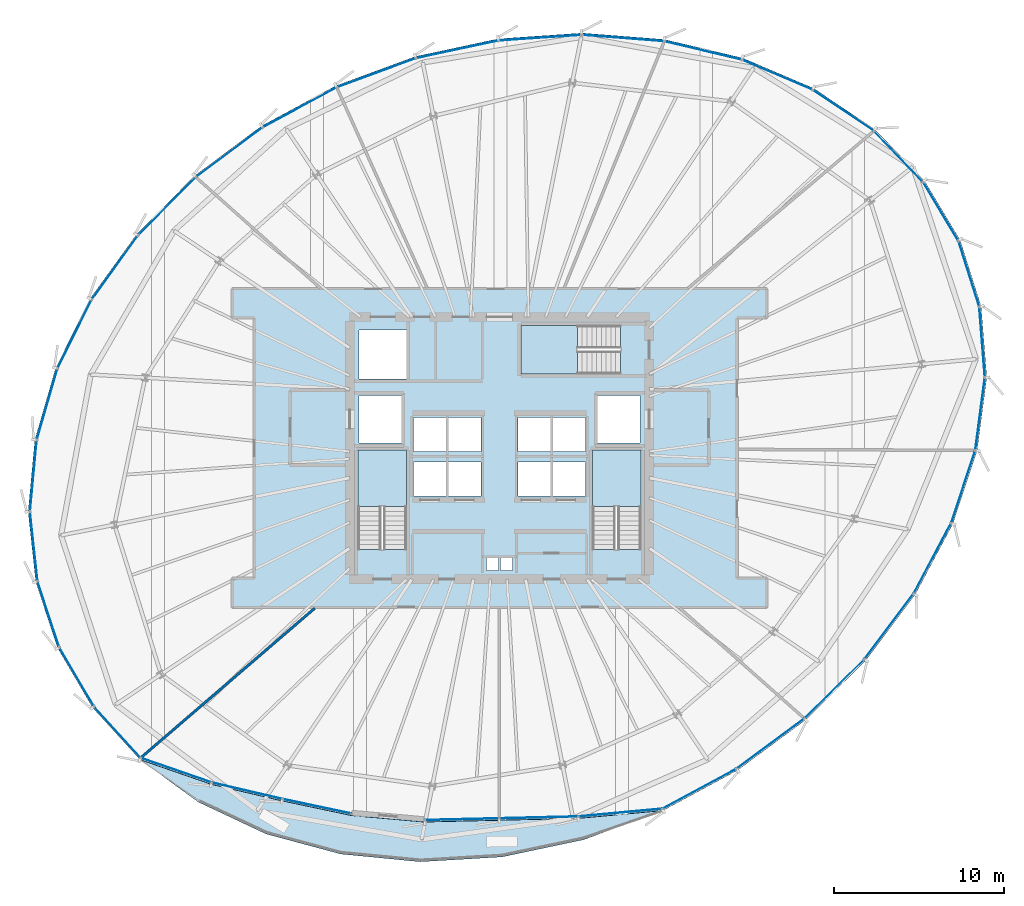
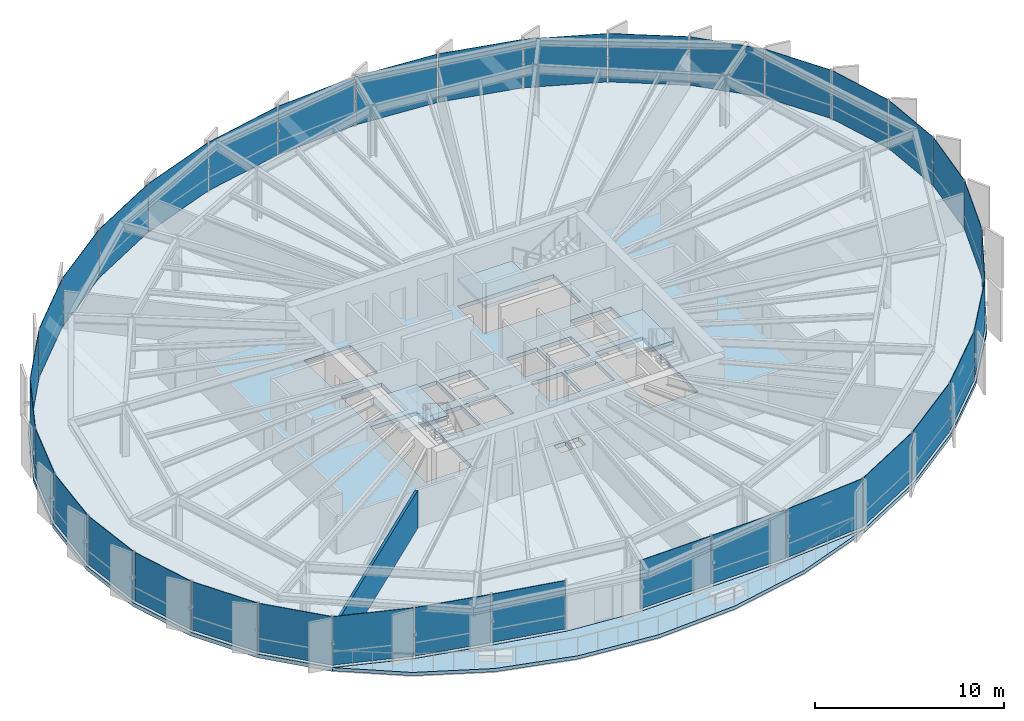
# One storey, part 30 of 37: 35 plates, 5 slabs, 1 wall, 9 elements without a shape of their own.
"""IFC4 building model written with IfcOpenShell, lengths in metres."""

from ifc_helpers import new_model, si_unit, direction, frame, frame_2d, origin, origin_2d, place, context, subcontext, project, spatial, polyline, rectangle, outline, extrude, source, transform, mapped, material, layer, layer_set, type_object, element, aggregate, save


model = new_model("IFC4")

# Units and contexts
model_context = context("Model", 3, precision=1e-05, world=origin(), true_north=direction((0.0, 1.0)))
body_context = subcontext(model_context, "Body", "Model", "MODEL_VIEW")
ifc_project = project(units=[si_unit("LENGTHUNIT", "METRE"), si_unit("AREAUNIT", "SQUARE_METRE"), si_unit("VOLUMEUNIT", "CUBIC_METRE"), si_unit("PLANEANGLEUNIT", "RADIAN"), si_unit("MASSUNIT", "GRAM", prefix="KILO"), si_unit("THERMODYNAMICTEMPERATUREUNIT", "KELVIN")], contexts=[model_context])

# Site, building, storey
site_placement = place(None, origin())
site = spatial("IfcSite", under=ifc_project, at=site_placement, CompositionType="ELEMENT")
building_placement = place(site_placement, origin())
building = spatial("IfcBuilding", under=site, at=building_placement, Name="Kethvar Cultural Tower", CompositionType="ELEMENT")
storey_placement = place(building_placement, frame((0.0, 0.0, 132.35009765625)))
storey = spatial("IfcBuildingStorey", under=building, at=storey_placement, Name="L33", CompositionType="ELEMENT", Elevation=132.35009765625)

# Stair, slab
ifc_material_1 = material(Name="Concrete C40/50", Category="concrete")
stair_type = type_object("IfcStairType", Name="ST-DOGLEG-135", PredefinedType="HALF_TURN_STAIR", material=ifc_material_1)
stair_1_placement = place(storey_placement, origin())
stair_1 = element("IfcStair", 1, at=stair_1_placement, inside=storey, type_object=stair_type, Name="L33 Core Exit Stair 1", PredefinedType="HALF_TURN_STAIR")
ifc_layer_1 = layer(ifc_material_1, 0.199951171875, Name="Concrete C40/50", Category="concrete")
ifc_layer_set_1 = layer_set([ifc_layer_1], Name="Concrete C40/50 (200 mm)")
slab_type_1 = type_object("IfcSlabType", Name="SL-STAIR-LANDING-200", PredefinedType="LANDING", material=ifc_layer_set_1)
slab_1_placement = place(storey_placement, frame((0.0, 0.0, 1.574951171875)))
slab_1 = element("IfcSlab", 2, at=slab_1_placement, type_object=slab_type_1, Name="ST-01 landing 1", PredefinedType="LANDING", context=body_context, shape_type="SweptSolid", body=[
    extrude(outline(polyline([(41.35009765625, 24.3701171875), (41.35009765625, 27.699951171875), (38.489990234375, 27.699951171875), (38.489990234375, 24.3701171875), (41.35009765625, 24.3701171875)])), origin(), (0.0, 0.0, 1.0), 0.199951171875),
])
aggregate(stair_1, [slab_1])

stair_2_placement = place(storey_placement, origin())
stair_2 = element("IfcStair", 3, at=stair_2_placement, inside=storey, type_object=stair_type, Name="L33 Core Exit Stair 2", PredefinedType="HALF_TURN_STAIR")
slab_2_placement = place(storey_placement, frame((0.0, 0.0, 1.574951171875)))
slab_2 = element("IfcSlab", 4, at=slab_2_placement, type_object=slab_type_1, Name="ST-02 landing 1", PredefinedType="LANDING", context=body_context, shape_type="SweptSolid", body=[
    extrude(outline(polyline([(55.110107421875, 24.3701171875), (55.110107421875, 27.699951171875), (52.25, 27.699951171875), (52.25, 24.3701171875), (55.110107421875, 24.3701171875)])), origin(), (0.0, 0.0, 1.0), 0.199951171875),
])
aggregate(stair_2, [slab_2])

stair_3_placement = place(storey_placement, origin())
stair_3 = element("IfcStair", 5, at=stair_3_placement, inside=storey, type_object=stair_type, Name="L33 Core Exit Stair 3", PredefinedType="HALF_TURN_STAIR")
slab_3_placement = place(storey_placement, frame((0.0, 0.0, 1.574951171875)))
slab_3 = element("IfcSlab", 6, at=slab_3_placement, type_object=slab_type_1, Name="ST-03 landing 1", PredefinedType="LANDING", context=body_context, shape_type="SweptSolid", body=[
    extrude(outline(polyline([(51.3798828125, 35.010009765625), (48.050048828125, 35.010009765625), (48.050048828125, 32.14990234375), (51.3798828125, 32.14990234375), (51.3798828125, 35.010009765625)])), origin(), (0.0, 0.0, 1.0), 0.199951171875),
])
aggregate(stair_3, [slab_3])

# Slabs
ifc_layer_2 = layer(ifc_material_1, 0.215087890625, Name="Concrete C40/50", Category="concrete")
ifc_layer_set_2 = layer_set([ifc_layer_2], Name="Concrete C40/50 (215 mm)")
slab_type_2 = type_object("IfcSlabType", Name="SL-TER-EXT", PredefinedType="FLOOR", material=ifc_layer_set_2)
slab_4_placement = place(storey_placement, frame((0.0, 0.0, -0.215087890625)))
element("IfcSlab", 7, at=slab_4_placement, inside=storey, type_object=slab_type_2, Name="L33 Spiralling Sky Terrace Deck", PredefinedType="FLOOR", context=body_context, shape_type="SweptSolid", body=[
    extrude(outline(polyline([(25.68701171875, 9.502685546875), (29.118408203125, 7.00341796875), (33.0869140625, 5.13623046875), (37.471923828125, 3.95751953125), (42.140380859375, 3.50341796875), (46.95068359375, 3.78759765625), (51.756103515625, 4.80126953125), (56.4111328125, 6.513671875), (51.43701171875, 6.0537109375), (46.78857421875, 5.943603515625), (42.373779296875, 5.841796875), (38.10791015625, 6.219970703125), (34.0244140625, 7.08447265625), (29.87255859375, 8.052978515625), (25.68701171875, 9.502685546875)])), origin(), (0.0, 0.0, 1.0), 0.215087890625),
])
ifc_layer_3 = layer(ifc_material_1, 0.25, Name="Concrete C40/50", Category="concrete")
ifc_layer_set_3 = layer_set([ifc_layer_3], Name="Concrete C40/50 (250 mm)")
slab_type_3 = type_object("IfcSlabType", Name="SL-TOW-250", PredefinedType="FLOOR", material=ifc_layer_set_3)
slab_5_placement = place(storey_placement, frame((0.0, 0.0, -0.25)))
element("IfcSlab", 8, at=slab_5_placement, inside=storey, type_object=slab_type_3, Name="L33 Structural Floor Slab", PredefinedType="FLOOR", context=body_context, shape_type="SweptSolid", body=[
    extrude(outline(polyline([(73.859619140625, 40.017822265625), (71.755126953125, 43.517578125), (68.84912109375, 46.52001953125), (65.2451171875, 48.941162109375), (61.074951171875, 50.71728515625), (56.490478515625, 51.805908203125), (51.65283203125, 52.183837890625), (46.72412109375, 51.84619140625), (41.857666015625, 50.804931640625), (37.18896484375, 49.086181640625), (32.825927734375, 46.72705078125), (28.8876953125, 43.792724609375), (25.493408203125, 40.372314453125), (22.746826171875, 36.570068359375), (20.73095703125, 32.50146484375), (19.507080078125, 28.289794921875), (19.11279296875, 24.063232421875), (19.5595703125, 19.9501953125), (20.833984375, 16.075927734375), (22.8974609375, 12.5576171875), (25.68701171875, 9.502685546875), (29.87255859375, 8.052978515625), (34.0244140625, 7.08447265625), (38.10791015625, 6.219970703125), (42.373779296875, 5.841796875), (46.78857421875, 5.943603515625), (51.43701171875, 6.0537109375), (56.4111328125, 6.513671875), (60.787841796875, 8.879150390625), (64.787109375, 11.841064453125), (68.2998046875, 15.31494140625), (71.215576171875, 19.193359375), (73.430908203125, 23.352294921875), (74.856201171875, 27.65478515625), (75.423583984375, 31.95947265625), (75.093017578125, 36.125), (73.859619140625, 40.017822265625)]), holes=[polyline([(38.489990234375, 21.85009765625), (38.489990234375, 27.699951171875), (41.35009765625, 27.699951171875), (41.35009765625, 21.85009765625), (38.489990234375, 21.85009765625)]), polyline([(52.25, 21.85009765625), (52.25, 27.699951171875), (55.110107421875, 27.699951171875), (55.110107421875, 21.85009765625), (52.25, 21.85009765625)]), polyline([(53.89990234375, 32.14990234375), (48.050048828125, 32.14990234375), (48.050048828125, 35.010009765625), (53.89990234375, 35.010009765625), (53.89990234375, 32.14990234375)]), polyline([(41.75, 27.0), (43.64990234375, 27.0), (43.64990234375, 25.0), (41.75, 25.0), (41.75, 27.0)]), polyline([(43.800048828125, 27.0), (45.699951171875, 27.0), (45.699951171875, 25.0), (43.800048828125, 25.0), (43.800048828125, 27.0)]), polyline([(47.89990234375, 27.0), (49.800048828125, 27.0), (49.800048828125, 25.0), (47.89990234375, 25.0), (47.89990234375, 27.0)]), polyline([(49.949951171875, 27.0), (51.85009765625, 27.0), (51.85009765625, 25.0), (49.949951171875, 25.0), (49.949951171875, 27.0)]), polyline([(41.75, 29.60009765625), (43.64990234375, 29.60009765625), (43.64990234375, 27.60009765625), (41.75, 27.60009765625), (41.75, 29.60009765625)]), polyline([(43.800048828125, 29.60009765625), (45.699951171875, 29.60009765625), (45.699951171875, 27.60009765625), (43.800048828125, 27.60009765625), (43.800048828125, 29.60009765625)]), polyline([(47.89990234375, 29.60009765625), (49.800048828125, 29.60009765625), (49.800048828125, 27.60009765625), (47.89990234375, 27.60009765625), (47.89990234375, 29.60009765625)]), polyline([(49.949951171875, 29.60009765625), (51.85009765625, 29.60009765625), (51.85009765625, 27.60009765625), (49.949951171875, 27.60009765625), (49.949951171875, 29.60009765625)]), polyline([(38.550048828125, 30.89990234375), (41.050048828125, 30.89990234375), (41.050048828125, 28.10009765625), (38.550048828125, 28.10009765625), (38.550048828125, 30.89990234375)]), polyline([(52.550048828125, 30.89990234375), (55.050048828125, 30.89990234375), (55.050048828125, 28.10009765625), (52.550048828125, 28.10009765625), (52.550048828125, 30.89990234375)]), polyline([(38.550048828125, 34.75), (41.35009765625, 34.75), (41.35009765625, 31.85009765625), (38.550048828125, 31.85009765625), (38.550048828125, 34.75)]), polyline([(46.050048828125, 21.35009765625), (46.75, 21.35009765625), (46.75, 20.60009765625), (46.050048828125, 20.60009765625), (46.050048828125, 21.35009765625)]), polyline([(46.85009765625, 21.35009765625), (47.550048828125, 21.35009765625), (47.550048828125, 20.60009765625), (46.85009765625, 20.60009765625), (46.85009765625, 21.35009765625)])]), origin(), (0.0, 0.0, 1.0), 0.25),
])

# Curtain wall, plate
ifc_material_2 = material(Name="Aluminium 6063-T6", Category="aluminium")
ifc_layer_4 = layer(ifc_material_2, 0.179931640625, Name="Aluminium 6063-T6", Category="aluminium")
ifc_layer_set_4 = layer_set([ifc_layer_4], Name="Aluminium 6063-T6 (180 mm)")
curtain_wall_type = type_object("IfcCurtainWallType", Name="CW-SYS-04-Z34", PredefinedType="NOTDEFINED", material=ifc_layer_set_4)
curtain_wall_1_placement = place(storey_placement, origin())
curtain_wall_1 = element("IfcCurtainWall", 9, at=curtain_wall_1_placement, inside=storey, type_object=curtain_wall_type, Name="L33 Curtain Wall Run 01", PredefinedType="NOTDEFINED")
ifc_material_3 = material(Name="Insulated Low-E Solar Glass", Category="glass")
ifc_layer_5 = layer(ifc_material_3, 0.030029296875, Name="Insulated Low-E Solar Glass", Category="glass")
ifc_layer_set_5 = layer_set([ifc_layer_5], Name="Insulated Low-E Solar Glass (30 mm)")
plate_type = type_object("IfcPlateType", Name="CW-SYS-04-Z34-PNL", PredefinedType="CURTAIN_PANEL", material=ifc_layer_set_5)
shared_shape_1 = source(origin(), body_context, "Body", "SweptSolid", [
    extrude(rectangle(XDim=3.997314453125, YDim=0.030029296875, at=origin_2d()), origin(), (0.0, 0.0, 1.0), 3.1201171875),
])
plate_1_placement = place(storey_placement, frame((72.713134765625, 41.711181640625, 0.08984375), z_axis=(0.0, 0.0, 1.0), x_axis=(-0.515337251359, 0.856987466281, 0.0)))
plate_1 = element("IfcPlate", 10, at=plate_1_placement, type_object=plate_type, Name="CW-L33-R01 Vision Glazing Panel 1", PredefinedType="CURTAIN_PANEL", context=body_context, shape_type="MappedRepresentation", body=[
    mapped(shared_shape_1, transform((0.0, 0.0, 0.0), scale=1.0)),
])

curtain_wall_2_placement = place(storey_placement, origin())
curtain_wall_2 = element("IfcCurtainWall", 11, at=curtain_wall_2_placement, inside=storey, type_object=curtain_wall_type, Name="L33 Curtain Wall Run 06", PredefinedType="NOTDEFINED")
plate_2_placement = place(storey_placement, frame((74.37158203125, 38.0380859375, 0.08984375), z_axis=(0.0, 0.0, 1.0), x_axis=(-0.302037146025, 0.953296156722, 0.0)))
plate_2 = element("IfcPlate", 12, at=plate_2_placement, type_object=plate_type, Name="CW-L33-R06 Vision Glazing Panel 6", PredefinedType="CURTAIN_PANEL", context=body_context, shape_type="MappedRepresentation", body=[
    mapped(shared_shape_1, transform((0.0, 0.0, 0.0), scale=1.0)),
])

# Plate
shared_shape_2 = source(origin(), body_context, "Body", "SweptSolid", [
    extrude(rectangle(XDim=4.09228515625, YDim=0.030029296875, at=origin_2d()), origin(), (0.0, 0.0, 1.0), 3.1201171875),
])
plate_3_placement = place(storey_placement, frame((70.22314453125, 44.9423828125, 0.08984375), z_axis=(0.0, 0.0, 1.0), x_axis=(-0.695473988386, 0.718551272686, 0.0)))
plate_3 = element("IfcPlate", 13, at=plate_3_placement, type_object=plate_type, Name="CW-L33-R01 Vision Glazing Panel 2", PredefinedType="CURTAIN_PANEL", context=body_context, shape_type="MappedRepresentation", body=[
    mapped(shared_shape_2, transform((0.0, 0.0, 0.0), scale=1.0)),
])

shared_shape_3 = source(origin(), body_context, "Body", "SweptSolid", [
    extrude(rectangle(XDim=4.25537109375, YDim=0.030029296875, at=origin_2d()), origin(), (0.0, 0.0, 1.0), 3.1201171875),
])
plate_4_placement = place(storey_placement, frame((66.985595703125, 47.639404296875, 0.08984375), z_axis=(0.0, 0.0, 1.0), x_axis=(-0.830090152913, 0.557629211966, 0.0)))
plate_4 = element("IfcPlate", 14, at=plate_4_placement, type_object=plate_type, Name="CW-L33-R01 Vision Glazing Panel 3", PredefinedType="CURTAIN_PANEL", context=body_context, shape_type="MappedRepresentation", body=[
    mapped(shared_shape_3, transform((0.0, 0.0, 0.0), scale=1.0)),
])

plate_5_placement = place(storey_placement, frame((75.03076171875, 29.821533203125, 0.08984375), z_axis=(0.0, 0.0, 1.0), x_axis=(0.130681926404, 0.991424346136, 0.0)))
plate_5 = element("IfcPlate", 15, at=plate_5_placement, type_object=plate_type, Name="CW-L33-R06 Vision Glazing Panel 4", PredefinedType="CURTAIN_PANEL", context=body_context, shape_type="MappedRepresentation", body=[
    mapped(shared_shape_3, transform((0.0, 0.0, 0.0), scale=1.0)),
])

shared_shape_4 = source(origin(), body_context, "Body", "SweptSolid", [
    extrude(rectangle(XDim=4.4462890625, YDim=0.030029296875, at=origin_2d()), origin(), (0.0, 0.0, 1.0), 3.1201171875),
])
plate_6_placement = place(storey_placement, frame((63.11669921875, 49.72802734375, 0.08984375), z_axis=(0.0, 0.0, 1.0), x_axis=(-0.920019959151, 0.391871502872, 0.0)))
plate_6 = element("IfcPlate", 16, at=plate_6_placement, type_object=plate_type, Name="CW-L33-R01 Vision Glazing Panel 4", PredefinedType="CURTAIN_PANEL", context=body_context, shape_type="MappedRepresentation", body=[
    mapped(shared_shape_4, transform((0.0, 0.0, 0.0), scale=1.0)),
])

shared_shape_5 = source(origin(), body_context, "Body", "SweptSolid", [
    extrude(rectangle(XDim=4.62548828125, YDim=0.030029296875, at=origin_2d()), origin(), (0.0, 0.0, 1.0), 3.1201171875),
])
plate_7_placement = place(storey_placement, frame((58.757080078125, 51.154541015625, 0.08984375), z_axis=(0.0, 0.0, 1.0), x_axis=(-0.972953560964, 0.231000796986, 0.0)))
plate_7 = element("IfcPlate", 17, at=plate_7_placement, type_object=plate_type, Name="CW-L33-R01 Vision Glazing Panel 5", PredefinedType="CURTAIN_PANEL", context=body_context, shape_type="MappedRepresentation", body=[
    mapped(shared_shape_5, transform((0.0, 0.0, 0.0), scale=1.0)),
])

shared_shape_6 = source(origin(), body_context, "Body", "SweptSolid", [
    extrude(rectangle(XDim=4.765869140625, YDim=0.030029296875, at=origin_2d()), origin(), (0.0, 0.0, 1.0), 3.1201171875),
])
plate_8_placement = place(storey_placement, frame((54.06298828125, 51.88525390625, 0.08984375), z_axis=(0.0, 0.0, 1.0), x_axis=(-0.996962357573, 0.077884899581, 0.0)))
plate_8 = element("IfcPlate", 18, at=plate_8_placement, type_object=plate_type, Name="CW-L33-R01 Vision Glazing Panel 6", PredefinedType="CURTAIN_PANEL", context=body_context, shape_type="MappedRepresentation", body=[
    mapped(shared_shape_6, transform((0.0, 0.0, 0.0), scale=1.0)),
])

aggregate(curtain_wall_1, [plate_1, plate_3, plate_4, plate_6, plate_7, plate_8])

plate_9_placement = place(storey_placement, frame((69.669677734375, 17.3203125, 0.08984375), z_axis=(0.0, 0.0, 1.0), x_axis=(0.600894662012, 0.799328221174, 0.0)))
plate_9 = element("IfcPlate", 19, at=plate_9_placement, type_object=plate_type, Name="CW-L33-R06 Vision Glazing Panel 1", PredefinedType="CURTAIN_PANEL", context=body_context, shape_type="MappedRepresentation", body=[
    mapped(shared_shape_6, transform((0.0, 0.0, 0.0), scale=1.0)),
])

# Curtain wall, plate
curtain_wall_3_placement = place(storey_placement, origin())
curtain_wall_3 = element("IfcCurtainWall", 20, at=curtain_wall_3_placement, inside=storey, type_object=curtain_wall_type, Name="L33 Curtain Wall Run 02", PredefinedType="NOTDEFINED")
shared_shape_7 = source(origin(), body_context, "Body", "SweptSolid", [
    extrude(rectangle(XDim=4.853759765625, YDim=0.030029296875, at=origin_2d()), origin(), (0.0, 0.0, 1.0), 3.1201171875),
])
plate_10_placement = place(storey_placement, frame((49.196044921875, 51.9052734375, 0.08984375), z_axis=(0.0, 0.0, 1.0), x_axis=(-0.997662861968, -0.068328719064, 0.0)))
plate_10 = element("IfcPlate", 21, at=plate_10_placement, type_object=plate_type, Name="CW-L33-R02 Vision Glazing Panel 1", PredefinedType="CURTAIN_PANEL", context=body_context, shape_type="MappedRepresentation", body=[
    mapped(shared_shape_7, transform((0.0, 0.0, 0.0), scale=1.0)),
])

curtain_wall_4_placement = place(storey_placement, origin())
curtain_wall_4 = element("IfcCurtainWall", 22, at=curtain_wall_4_placement, inside=storey, type_object=curtain_wall_type, Name="L33 Curtain Wall Run 05", PredefinedType="NOTDEFINED")
plate_11_placement = place(storey_placement, frame((66.466064453125, 13.65625, 0.08984375), z_axis=(0.0, 0.0, 1.0), x_axis=(0.711020416756, 0.703171363863, 0.0)))
plate_11 = element("IfcPlate", 23, at=plate_11_placement, type_object=plate_type, Name="CW-L33-R05 Vision Glazing Panel 6", PredefinedType="CURTAIN_PANEL", context=body_context, shape_type="MappedRepresentation", body=[
    mapped(shared_shape_7, transform((0.0, 0.0, 0.0), scale=1.0)),
])

# Plate
shared_shape_8 = source(origin(), body_context, "Body", "SweptSolid", [
    extrude(rectangle(XDim=4.890380859375, YDim=0.030029296875, at=origin_2d()), origin(), (0.0, 0.0, 1.0), 3.1201171875),
])
plate_12_placement = place(storey_placement, frame((44.31396484375, 51.218017578125, 0.08984375), z_axis=(0.0, 0.0, 1.0), x_axis=(-0.977870955794, -0.209208971642, 0.0)))
plate_12 = element("IfcPlate", 24, at=plate_12_placement, type_object=plate_type, Name="CW-L33-R02 Vision Glazing Panel 2", PredefinedType="CURTAIN_PANEL", context=body_context, shape_type="MappedRepresentation", body=[
    mapped(shared_shape_8, transform((0.0, 0.0, 0.0), scale=1.0)),
])

plate_13_placement = place(storey_placement, frame((62.721923828125, 10.448486328125, 0.08984375), z_axis=(0.0, 0.0, 1.0), x_axis=(0.803618018686, 0.595145427642, 0.0)))
plate_13 = element("IfcPlate", 25, at=plate_13_placement, type_object=plate_type, Name="CW-L33-R05 Vision Glazing Panel 5", PredefinedType="CURTAIN_PANEL", context=body_context, shape_type="MappedRepresentation", body=[
    mapped(shared_shape_8, transform((0.0, 0.0, 0.0), scale=1.0)),
])

shared_shape_9 = source(origin(), body_context, "Body", "SweptSolid", [
    extrude(rectangle(XDim=4.888671875, YDim=0.030029296875, at=origin_2d()), origin(), (0.0, 0.0, 1.0), 3.1201171875),
])
plate_14_placement = place(storey_placement, frame((39.561279296875, 49.84228515625, 0.08984375), z_axis=(0.0, 0.0, 1.0), x_axis=(-0.938432742561, -0.345461991671, 0.0)))
plate_14 = element("IfcPlate", 26, at=plate_14_placement, type_object=plate_type, Name="CW-L33-R02 Vision Glazing Panel 3", PredefinedType="CURTAIN_PANEL", context=body_context, shape_type="MappedRepresentation", body=[
    mapped(shared_shape_9, transform((0.0, 0.0, 0.0), scale=1.0)),
])

plate_15_placement = place(storey_placement, frame((58.547119140625, 7.793212890625, 0.08984375), z_axis=(0.0, 0.0, 1.0), x_axis=(0.879731571553, 0.475470674188, 0.0)))
plate_15 = element("IfcPlate", 27, at=plate_15_placement, type_object=plate_type, Name="CW-L33-R05 Vision Glazing Panel 4", PredefinedType="CURTAIN_PANEL", context=body_context, shape_type="MappedRepresentation", body=[
    mapped(shared_shape_9, transform((0.0, 0.0, 0.0), scale=1.0)),
])

shared_shape_10 = source(origin(), body_context, "Body", "SweptSolid", [
    extrude(rectangle(XDim=4.87353515625, YDim=0.030029296875, at=origin_2d()), origin(), (0.0, 0.0, 1.0), 3.1201171875),
])
plate_16_placement = place(storey_placement, frame((35.059814453125, 47.809814453125, 0.08984375), z_axis=(0.0, 0.0, 1.0), x_axis=(-0.879631969914, -0.475654914308, 0.0)))
plate_16 = element("IfcPlate", 28, at=plate_16_placement, type_object=plate_type, Name="CW-L33-R02 Vision Glazing Panel 4", PredefinedType="CURTAIN_PANEL", context=body_context, shape_type="MappedRepresentation", body=[
    mapped(shared_shape_10, transform((0.0, 0.0, 0.0), scale=1.0)),
])

shared_shape_11 = source(origin(), body_context, "Body", "SweptSolid", [
    extrude(rectangle(XDim=4.82470703125, YDim=0.030029296875, at=origin_2d()), origin(), (0.0, 0.0, 1.0), 3.1201171875),
])
plate_17_placement = place(storey_placement, frame((30.922607421875, 45.171630859375, 0.08984375), z_axis=(0.0, 0.0, 1.0), x_axis=(-0.801890365258, -0.597471206089, 0.0)))
plate_17 = element("IfcPlate", 29, at=plate_17_placement, type_object=plate_type, Name="CW-L33-R02 Vision Glazing Panel 5", PredefinedType="CURTAIN_PANEL", context=body_context, shape_type="MappedRepresentation", body=[
    mapped(shared_shape_11, transform((0.0, 0.0, 0.0), scale=1.0)),
])

shared_shape_12 = source(origin(), body_context, "Body", "SweptSolid", [
    extrude(rectangle(XDim=4.732177734375, YDim=0.030029296875, at=origin_2d()), origin(), (0.0, 0.0, 1.0), 3.1201171875),
])
plate_18_placement = place(storey_placement, frame((27.268798828125, 42.005126953125, 0.08984375), z_axis=(0.0, 0.0, 1.0), x_axis=(-0.704386480127, -0.709816657042, 0.0)))
plate_18 = element("IfcPlate", 30, at=plate_18_placement, type_object=plate_type, Name="CW-L33-R02 Vision Glazing Panel 6", PredefinedType="CURTAIN_PANEL", context=body_context, shape_type="MappedRepresentation", body=[
    mapped(shared_shape_12, transform((0.0, 0.0, 0.0), scale=1.0)),
])

aggregate(curtain_wall_3, [plate_10, plate_12, plate_14, plate_16, plate_17, plate_18])

# Curtain wall, plates
curtain_wall_5_placement = place(storey_placement, origin())
curtain_wall_5 = element("IfcCurtainWall", 31, at=curtain_wall_5_placement, inside=storey, type_object=curtain_wall_type, Name="L33 Curtain Wall Run 03", PredefinedType="NOTDEFINED")
shared_shape_13 = source(origin(), body_context, "Body", "SweptSolid", [
    extrude(rectangle(XDim=4.604248046875, YDim=0.030029296875, at=origin_2d()), origin(), (0.0, 0.0, 1.0), 3.1201171875),
])
plate_19_placement = place(storey_placement, frame((24.20947265625, 38.406982421875, 0.08984375), z_axis=(0.0, 0.0, 1.0), x_axis=(-0.585580354739, -0.810614364629, 0.0)))
plate_19 = element("IfcPlate", 32, at=plate_19_placement, type_object=plate_type, Name="CW-L33-R03 Vision Glazing Panel 1", PredefinedType="CURTAIN_PANEL", context=body_context, shape_type="MappedRepresentation", body=[
    mapped(shared_shape_13, transform((0.0, 0.0, 0.0), scale=1.0)),
])
shared_shape_14 = source(origin(), body_context, "Body", "SweptSolid", [
    extrude(rectangle(XDim=4.454345703125, YDim=0.030029296875, at=origin_2d()), origin(), (0.0, 0.0, 1.0), 3.1201171875),
])
plate_20_placement = place(storey_placement, frame((21.83740234375, 34.487060546875, 0.08984375), z_axis=(0.0, 0.0, 1.0), x_axis=(-0.443962829898, -0.896045202916, 0.0)))
plate_20 = element("IfcPlate", 33, at=plate_20_placement, type_object=plate_type, Name="CW-L33-R03 Vision Glazing Panel 2", PredefinedType="CURTAIN_PANEL", context=body_context, shape_type="MappedRepresentation", body=[
    mapped(shared_shape_14, transform((0.0, 0.0, 0.0), scale=1.0)),
])
shared_shape_15 = source(origin(), body_context, "Body", "SweptSolid", [
    extrude(rectangle(XDim=4.29931640625, YDim=0.030029296875, at=origin_2d()), origin(), (0.0, 0.0, 1.0), 3.1201171875),
])
plate_21_placement = place(storey_placement, frame((20.224609375, 30.364990234375, 0.08984375), z_axis=(0.0, 0.0, 1.0), x_axis=(-0.279007866283, -0.960288816217, 0.0)))
plate_21 = element("IfcPlate", 34, at=plate_21_placement, type_object=plate_type, Name="CW-L33-R03 Vision Glazing Panel 3", PredefinedType="CURTAIN_PANEL", context=body_context, shape_type="MappedRepresentation", body=[
    mapped(shared_shape_15, transform((0.0, 0.0, 0.0), scale=1.0)),
])
shared_shape_16 = source(origin(), body_context, "Body", "SweptSolid", [
    extrude(rectangle(XDim=4.158447265625, YDim=0.030029296875, at=origin_2d()), origin(), (0.0, 0.0, 1.0), 3.1201171875),
])
plate_22_placement = place(storey_placement, frame((19.41943359375, 26.16650390625, 0.08984375), z_axis=(0.0, 0.0, 1.0), x_axis=(-0.09294406835, -0.995671331393, 0.0)))
plate_22 = element("IfcPlate", 35, at=plate_22_placement, type_object=plate_type, Name="CW-L33-R03 Vision Glazing Panel 4", PredefinedType="CURTAIN_PANEL", context=body_context, shape_type="MappedRepresentation", body=[
    mapped(shared_shape_16, transform((0.0, 0.0, 0.0), scale=1.0)),
])
shared_shape_17 = source(origin(), body_context, "Body", "SweptSolid", [
    extrude(rectangle(XDim=4.05078125, YDim=0.030029296875, at=origin_2d()), origin(), (0.0, 0.0, 1.0), 3.1201171875),
])
plate_23_placement = place(storey_placement, frame((19.445556640625, 22.018798828125, 0.08984375), z_axis=(0.0, 0.0, 1.0), x_axis=(0.107999355706, -0.994150963972, 0.0)))
plate_23 = element("IfcPlate", 36, at=plate_23_placement, type_object=plate_type, Name="CW-L33-R03 Vision Glazing Panel 5", PredefinedType="CURTAIN_PANEL", context=body_context, shape_type="MappedRepresentation", body=[
    mapped(shared_shape_17, transform((0.0, 0.0, 0.0), scale=1.0)),
])

# Curtain wall, plate
curtain_wall_6_placement = place(storey_placement, origin())
curtain_wall_6 = element("IfcCurtainWall", 37, at=curtain_wall_6_placement, inside=storey, type_object=curtain_wall_type, Name="L33 Curtain Wall Run 04", PredefinedType="NOTDEFINED")
plate_24_placement = place(storey_placement, frame((24.37353515625, 11.1044921875, 0.08984375), z_axis=(0.0, 0.0, 1.0), x_axis=(0.674302387584, -0.738455340626, 0.0)))
plate_24 = element("IfcPlate", 38, at=plate_24_placement, type_object=plate_type, Name="CW-L33-R04 Vision Glazing Panel 2", PredefinedType="CURTAIN_PANEL", context=body_context, shape_type="MappedRepresentation", body=[
    mapped(shared_shape_17, transform((0.0, 0.0, 0.0), scale=1.0)),
])

# Plate
shared_shape_18 = source(origin(), body_context, "Body", "SweptSolid", [
    extrude(rectangle(XDim=3.9921875, YDim=0.030029296875, at=origin_2d()), origin(), (0.0, 0.0, 1.0), 3.1201171875),
])
plate_25_placement = place(storey_placement, frame((20.30126953125, 18.04736328125, 0.08984375), z_axis=(0.0, 0.0, 1.0), x_axis=(0.312484135919, -0.949922978351, 0.0)))
plate_25 = element("IfcPlate", 39, at=plate_25_placement, type_object=plate_type, Name="CW-L33-R03 Vision Glazing Panel 6", PredefinedType="CURTAIN_PANEL", context=body_context, shape_type="MappedRepresentation", body=[
    mapped(shared_shape_18, transform((0.0, 0.0, 0.0), scale=1.0)),
])

aggregate(curtain_wall_5, [plate_19, plate_20, plate_21, plate_22, plate_23, plate_25])

plate_26_placement = place(storey_placement, frame((21.960693359375, 14.37255859375, 0.08984375), z_axis=(0.0, 0.0, 1.0), x_axis=(0.505898274548, -0.862593146164, 0.0)))
plate_26 = element("IfcPlate", 40, at=plate_26_placement, type_object=plate_type, Name="CW-L33-R04 Vision Glazing Panel 1", PredefinedType="CURTAIN_PANEL", context=body_context, shape_type="MappedRepresentation", body=[
    mapped(shared_shape_18, transform((0.0, 0.0, 0.0), scale=1.0)),
])

shared_shape_19 = source(origin(), body_context, "Body", "SweptSolid", [
    extrude(rectangle(XDim=4.343017578125, YDim=0.030029296875, at=origin_2d()), origin(), (0.0, 0.0, 1.0), 3.1201171875),
])
plate_27_placement = place(storey_placement, frame((27.81591796875, 8.8818359375, 0.08984375), z_axis=(0.0, 0.0, 1.0), x_axis=(0.944937489522, -0.327250883719, 0.0)))
plate_27 = element("IfcPlate", 41, at=plate_27_placement, type_object=plate_type, Name="CW-L33-R04 Vision Glazing Panel 3", PredefinedType="CURTAIN_PANEL", context=body_context, shape_type="MappedRepresentation", body=[
    mapped(shared_shape_19, transform((0.0, 0.0, 0.0), scale=1.0)),
])

shared_shape_20 = source(origin(), body_context, "Body", "SweptSolid", [
    extrude(rectangle(XDim=4.177001953125, YDim=0.030029296875, at=origin_2d()), origin(), (0.0, 0.0, 1.0), 3.1201171875),
])
plate_28_placement = place(storey_placement, frame((31.973388671875, 7.67578125, 0.08984375), z_axis=(0.0, 0.0, 1.0), x_axis=(0.973845263957, -0.227212239699, 0.0)))
plate_28 = element("IfcPlate", 42, at=plate_28_placement, type_object=plate_type, Name="CW-L33-R04 Vision Glazing Panel 4", PredefinedType="CURTAIN_PANEL", context=body_context, shape_type="MappedRepresentation", body=[
    mapped(shared_shape_20, transform((0.0, 0.0, 0.0), scale=1.0)),
])

shared_shape_21 = source(origin(), body_context, "Body", "SweptSolid", [
    extrude(rectangle(XDim=4.08740234375, YDim=0.030029296875, at=origin_2d()), origin(), (0.0, 0.0, 1.0), 3.1201171875),
])
plate_29_placement = place(storey_placement, frame((36.0888671875, 6.760009765625, 0.08984375), z_axis=(0.0, 0.0, 1.0), x_axis=(0.978321437153, -0.207092166936, 0.0)))
plate_29 = element("IfcPlate", 43, at=plate_29_placement, type_object=plate_type, Name="CW-L33-R04 Vision Glazing Panel 5", PredefinedType="CURTAIN_PANEL", context=body_context, shape_type="MappedRepresentation", body=[
    mapped(shared_shape_21, transform((0.0, 0.0, 0.0), scale=1.0)),
])

aggregate(curtain_wall_6, [plate_26, plate_24, plate_27, plate_28, plate_29])

shared_shape_22 = source(origin(), body_context, "Body", "SweptSolid", [
    extrude(rectangle(XDim=4.329345703125, YDim=0.030029296875, at=origin_2d()), origin(), (0.0, 0.0, 1.0), 3.1201171875),
])
plate_30_placement = place(storey_placement, frame((44.57861328125, 6.002685546875, 0.08984375), z_axis=(0.0, 0.0, 1.0), x_axis=(0.999735432551, 0.023001410852, 0.0)))
plate_30 = element("IfcPlate", 44, at=plate_30_placement, type_object=plate_type, Name="CW-L33-R05 Vision Glazing Panel 1", PredefinedType="CURTAIN_PANEL", context=body_context, shape_type="MappedRepresentation", body=[
    mapped(shared_shape_22, transform((0.0, 0.0, 0.0), scale=1.0)),
])

shared_shape_23 = source(origin(), body_context, "Body", "SweptSolid", [
    extrude(rectangle(XDim=4.563232421875, YDim=0.030029296875, at=origin_2d()), origin(), (0.0, 0.0, 1.0), 3.1201171875),
])
plate_31_placement = place(storey_placement, frame((49.110107421875, 6.108642578125, 0.08984375), z_axis=(0.0, 0.0, 1.0), x_axis=(0.999719130909, 0.023699352188, 0.0)))
plate_31 = element("IfcPlate", 45, at=plate_31_placement, type_object=plate_type, Name="CW-L33-R05 Vision Glazing Panel 2", PredefinedType="CURTAIN_PANEL", context=body_context, shape_type="MappedRepresentation", body=[
    mapped(shared_shape_23, transform((0.0, 0.0, 0.0), scale=1.0)),
])

shared_shape_24 = source(origin(), body_context, "Body", "SweptSolid", [
    extrude(rectangle(XDim=4.9091796875, YDim=0.030029296875, at=origin_2d()), origin(), (0.0, 0.0, 1.0), 3.1201171875),
])
plate_32_placement = place(storey_placement, frame((53.913818359375, 6.393310546875, 0.08984375), z_axis=(0.0, 0.0, 1.0), x_axis=(0.995750454094, 0.092092525058, 0.0)))
plate_32 = element("IfcPlate", 46, at=plate_32_placement, type_object=plate_type, Name="CW-L33-R05 Vision Glazing Panel 3", PredefinedType="CURTAIN_PANEL", context=body_context, shape_type="MappedRepresentation", body=[
    mapped(shared_shape_24, transform((0.0, 0.0, 0.0), scale=1.0)),
])

aggregate(curtain_wall_4, [plate_30, plate_31, plate_32, plate_15, plate_13, plate_11])

shared_shape_25 = source(origin(), body_context, "Body", "SweptSolid", [
    extrude(rectangle(XDim=4.625732421875, YDim=0.030029296875, at=origin_2d()), origin(), (0.0, 0.0, 1.0), 3.1201171875),
])
plate_33_placement = place(storey_placement, frame((72.22607421875, 21.32470703125, 0.08984375), z_axis=(0.0, 0.0, 1.0), x_axis=(0.470134075244, 0.882595009783, 0.0)))
plate_33 = element("IfcPlate", 47, at=plate_33_placement, type_object=plate_type, Name="CW-L33-R06 Vision Glazing Panel 2", PredefinedType="CURTAIN_PANEL", context=body_context, shape_type="MappedRepresentation", body=[
    mapped(shared_shape_25, transform((0.0, 0.0, 0.0), scale=1.0)),
])

shared_shape_26 = source(origin(), body_context, "Body", "SweptSolid", [
    extrude(rectangle(XDim=4.446044921875, YDim=0.030029296875, at=origin_2d()), origin(), (0.0, 0.0, 1.0), 3.1201171875),
])
plate_34_placement = place(storey_placement, frame((74.0390625, 25.5380859375, 0.08984375), z_axis=(0.0, 0.0, 1.0), x_axis=(0.314456395272, 0.949271918616, 0.0)))
plate_34 = element("IfcPlate", 48, at=plate_34_placement, type_object=plate_type, Name="CW-L33-R06 Vision Glazing Panel 3", PredefinedType="CURTAIN_PANEL", context=body_context, shape_type="MappedRepresentation", body=[
    mapped(shared_shape_26, transform((0.0, 0.0, 0.0), scale=1.0)),
])

shared_shape_27 = source(origin(), body_context, "Body", "SweptSolid", [
    extrude(rectangle(XDim=4.092041015625, YDim=0.030029296875, at=origin_2d()), origin(), (0.0, 0.0, 1.0), 3.1201171875),
])
plate_35_placement = place(storey_placement, frame((75.148681640625, 34.033447265625, 0.08984375), z_axis=(0.0, 0.0, 1.0), x_axis=(-0.079068063196, 0.996869219799, 0.0)))
plate_35 = element("IfcPlate", 49, at=plate_35_placement, type_object=plate_type, Name="CW-L33-R06 Vision Glazing Panel 5", PredefinedType="CURTAIN_PANEL", context=body_context, shape_type="MappedRepresentation", body=[
    mapped(shared_shape_27, transform((0.0, 0.0, 0.0), scale=1.0)),
])

aggregate(curtain_wall_2, [plate_9, plate_33, plate_34, plate_5, plate_35, plate_2])

# Wall
ifc_material_4 = material(Name="Gypsum Acoustic Partition")
ifc_layer_6 = layer(ifc_material_4, 0.14990234375, Name="Gypsum Acoustic Partition")
ifc_layer_set_6 = layer_set([ifc_layer_6], Name="Gypsum Acoustic Partition (150 mm)")
wall_type = type_object("IfcWallType", Name="WL-PART-150", PredefinedType="PARTITIONING", material=ifc_layer_set_6)
wall_placement = place(storey_placement, frame((35.95068359375, 18.39794921875, 0.0), z_axis=(0.0, 0.0, 1.0), x_axis=(-0.758343132759, -0.651855576793, 0.0)))
element("IfcWall", 50, at=wall_placement, inside=storey, type_object=wall_type, Name="L33 Radial Partition Wall 01", PredefinedType="PARTITIONING", context=body_context, shape_type="SweptSolid", body=[
    extrude(rectangle(XDim=13.386962890625, YDim=0.14990234375, at=frame_2d((6.693359375, 0.0))), origin(), (0.0, 0.0, 1.0), 2.44482421875),
])

save(model, "model.ifc")
